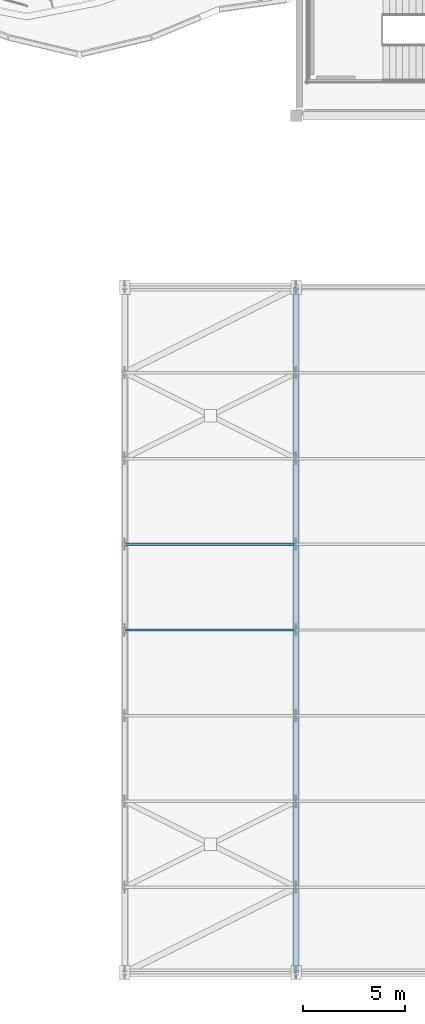
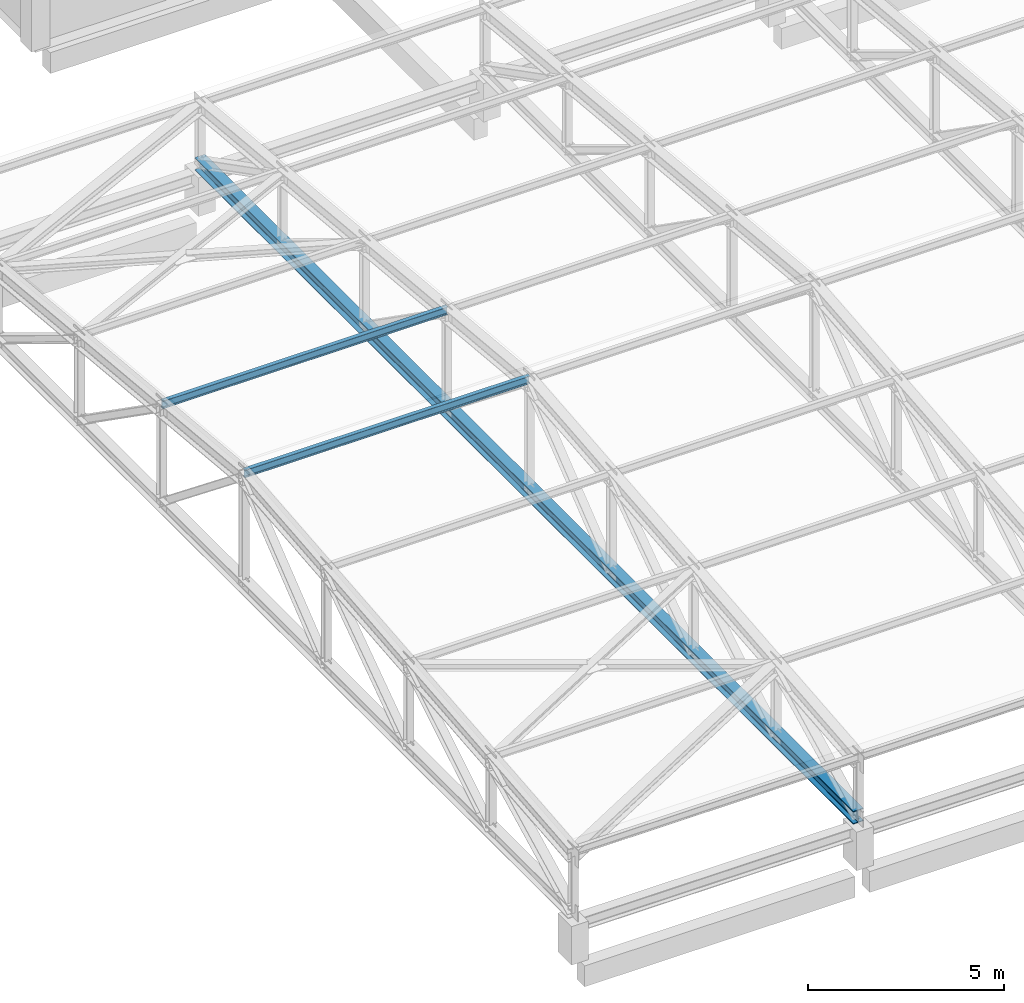
# One storey, part 14 of 74: 2 members, 1 beam.
"""IFC4 building model written with IfcOpenShell, lengths in metres."""

from ifc_helpers import new_model, si_unit, derived_unit, direction, frame, origin, origin_2d, place, context, subcontext, project, spatial, i_section, extrude, material, material_profile, profile_set, type_object, element, save


model = new_model("IFC4")

# Units and contexts
model_context = context("Model", 3, precision=1e-05, world=origin(), true_north=direction((0.0, 1.0)))
body_context = subcontext(model_context, "Body", "Model", "MODEL_VIEW")
ifc_project = project(units=[si_unit("LENGTHUNIT", "METRE"), si_unit("AREAUNIT", "SQUARE_METRE"), si_unit("VOLUMEUNIT", "CUBIC_METRE"), si_unit("PLANEANGLEUNIT", "RADIAN"), si_unit("MASSUNIT", "GRAM", prefix="KILO"), derived_unit("THERMALTRANSMITTANCEUNIT", [(si_unit("POWERUNIT", "WATT"), 1), (si_unit("LENGTHUNIT", "METRE"), -2), (si_unit("THERMODYNAMICTEMPERATUREUNIT", "KELVIN"), -1)])], contexts=[model_context])

# Site, building, storey
site_placement = place(None, origin())
site = spatial("IfcSite", under=ifc_project, at=site_placement, CompositionType="ELEMENT")
building_placement = place(site_placement, origin())
building = spatial("IfcBuilding", under=site, at=building_placement, Name="Elbkamm Science Centre", CompositionType="ELEMENT")
storey_placement = place(building_placement, frame((0.0, 0.0, 14.39990234375)))
storey = spatial("IfcBuildingStorey", under=building, at=storey_placement, Name="L03", CompositionType="ELEMENT", Elevation=14.39990234375)

# Beam
ifc_material = material(Name="Steel EN 10025-2 S355J2", Category="steel")
ifc_material_profile_1 = material_profile(ifc_material, i_section(OverallWidth=0.300048828125, OverallDepth=0.39990234375, WebThickness=0.013427734375, FlangeThickness=0.02392578125, FilletRadius=0.027099609375, at=origin_2d()), Name="HEB 400")
ifc_profile_set_1 = profile_set([ifc_material_profile_1], Name="Steel EN 10025-2 S355J2")
beam_type = type_object("IfcBeamType", Name="BM-STL-HEB400", PredefinedType="BEAM", material=ifc_profile_set_1)
beam_placement = place(storey_placement, frame((75.60009765625, 0.0, 1.400146484375), z_axis=(0.0, 1.0, 0.0), x_axis=(-1.0, 0.0, 0.0)))
element("IfcBeam", 1, at=beam_placement, inside=storey, type_object=beam_type, Name="Theatre Steel Truss 02 Continuous Bottom Tie Chord", PredefinedType="BEAM", context=body_context, shape_type="SweptSolid", body=[
    extrude(i_section(OverallWidth=0.300048828125, OverallDepth=0.39990234375, WebThickness=0.013427734375, FlangeThickness=0.02392578125, FilletRadius=0.027099609375, at=origin_2d()), origin(), (0.0, 0.0, 1.0), 33.60009765625),
])

# Members
ifc_material_profile_2 = material_profile(ifc_material, i_section(OverallWidth=0.1201171875, OverallDepth=0.239990234375, WebThickness=0.006103515625, FlangeThickness=0.009765625, FilletRadius=0.014892578125, at=origin_2d()), Name="IPE 240")
ifc_profile_set_2 = profile_set([ifc_material_profile_2], Name="Steel EN 10025-2 S355J2")
member_type = type_object("IfcMemberType", Name="MEM-PURLIN-IPE240", PredefinedType="PURLIN", material=ifc_profile_set_2)
for number, where, z_axis, x_axis, name in (
    (2, (67.199951171875, 16.800048828125, 4.84521484375), (1.0, 0.0, 0.0), (0.0, 1.0, 0.0), "Theatre Roof Purlin Bay 1-5"),
    (3, (67.199951171875, 21.0, 4.447998046875), (1.0, 0.0, 0.0), (0.0, 1.0, 0.0), "Theatre Roof Purlin Bay 1-6"),
):
    element("IfcMember", number, at=place(storey_placement, frame(where, z_axis=z_axis, x_axis=x_axis)), inside=storey, type_object=member_type, Name=name, PredefinedType="PURLIN", context=body_context, shape_type="SweptSolid", body=[
        extrude(i_section(OverallWidth=0.1201171875, OverallDepth=0.239990234375, WebThickness=0.006103515625, FlangeThickness=0.009765625, FilletRadius=0.014892578125, at=origin_2d()), origin(), (0.0, 0.0, 1.0), 8.400146484375),
    ])

save(model, "model.ifc")
